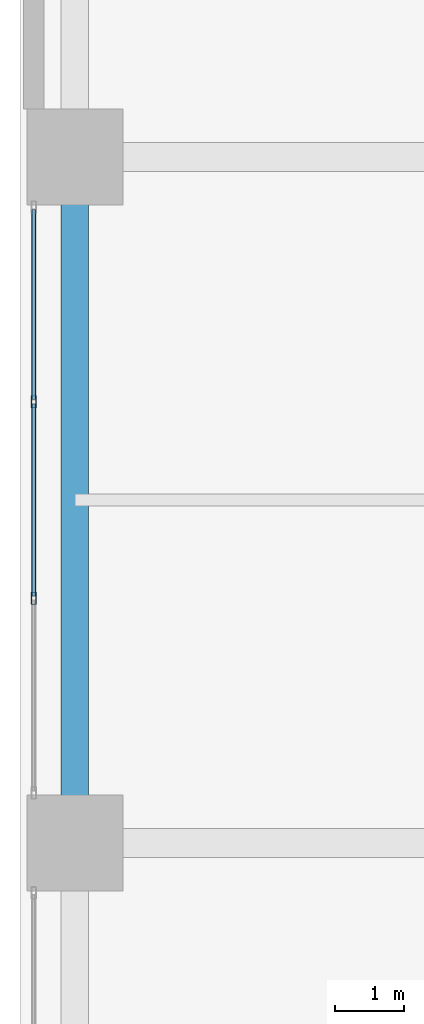
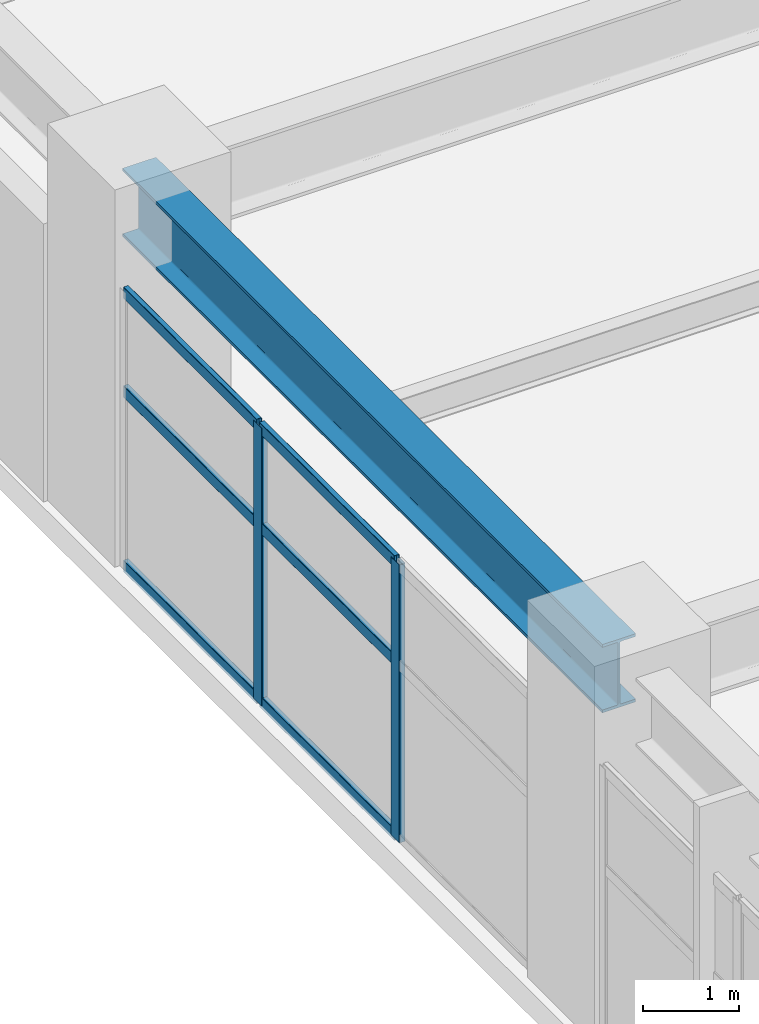
# One storey, part 9 of 28: 8 members, 1 beam, 1 element without a shape of its own.
"""IFC4 building model written with IfcOpenShell, lengths in metres."""

from ifc_helpers import new_model, si_unit, direction, frame, origin, origin_2d, place, context, subcontext, project, spatial, hollow_rectangle, i_section, extrude, material, layer, layer_set, material_profile, profile_set, type_object, element, aggregate, save


model = new_model("IFC4")

# Units and contexts
model_context = context("Model", 3, precision=1e-05, world=origin(), true_north=direction((0.0, 1.0)))
body_context = subcontext(model_context, "Body", "Model", "MODEL_VIEW")
ifc_project = project(units=[si_unit("LENGTHUNIT", "METRE"), si_unit("AREAUNIT", "SQUARE_METRE"), si_unit("VOLUMEUNIT", "CUBIC_METRE"), si_unit("PLANEANGLEUNIT", "RADIAN"), si_unit("MASSUNIT", "GRAM", prefix="KILO")], contexts=[model_context])

# Site, building, storey
site_placement = place(None, origin())
site = spatial("IfcSite", under=ifc_project, at=site_placement, CompositionType="ELEMENT")
building_placement = place(site_placement, origin())
building = spatial("IfcBuilding", under=site, at=building_placement, Name="Soratama Intermodal Tower", CompositionType="ELEMENT")
storey_placement = place(building_placement, frame((0.0, 0.0, 11.39990234375)))
storey = spatial("IfcBuildingStorey", under=building, at=storey_placement, Name="L02", CompositionType="ELEMENT", Elevation=11.39990234375)

# Beam
ifc_material_1 = material(Name="Structural steel ASTM A992 Grade 50", Category="steel")
ifc_material_profile_1 = material_profile(ifc_material_1, i_section(OverallWidth=0.403076171875, OverallDepth=0.867919921875, WebThickness=0.02099609375, FlangeThickness=0.03564453125, FilletRadius=0.01806640625, at=origin_2d()), Name="W33X241")
ifc_profile_set_1 = profile_set([ifc_material_profile_1], Name="Structural steel ASTM A992 Grade 50")
beam_type = type_object("IfcBeamType", Name="BM-POD-EXT-W33", PredefinedType="BEAM", material=ifc_profile_set_1)
beam_placement = place(storey_placement, frame((0.800048828125, 25.0, 4.046142578125), z_axis=(0.0, 1.0, 0.0), x_axis=(-1.0, 0.0, 0.0)))
element("IfcBeam", 1, at=beam_placement, inside=storey, type_object=beam_type, Name="L02 Station Girder Y1-3", PredefinedType="BEAM", context=body_context, shape_type="SweptSolid", body=[
    extrude(i_section(OverallWidth=0.403076171875, OverallDepth=0.867919921875, WebThickness=0.02099609375, FlangeThickness=0.03564453125, FilletRadius=0.01806640625, at=origin_2d()), origin(), (0.0, 0.0, 1.0), 10.0),
])

# Curtain wall, members
ifc_material_2 = material(Name="Double-glazed aluminium curtain wall", Category="aluminium")
ifc_layer = layer(ifc_material_2, 0.159912109375)
ifc_layer_set = layer_set([ifc_layer], Name="Double-glazed aluminium curtain wall")
curtain_wall_type = type_object("IfcCurtainWallType", Name="CW-SYS-1", PredefinedType="NOTDEFINED", material=ifc_layer_set)
curtain_wall_placement = place(storey_placement, origin())
curtain_wall = element("IfcCurtainWall", 2, at=curtain_wall_placement, inside=storey, type_object=curtain_wall_type, Name="L02 Station Curtain Wall W2", PredefinedType="NOTDEFINED")
ifc_material_3 = material(Name="Anodised aluminium AA 6063-T6", Category="aluminium")
ifc_material_profile_2 = material_profile(ifc_material_3, hollow_rectangle(XDim=0.074951171875, YDim=0.179931640625, WallThickness=0.006103515625, InnerFilletRadius=0.006103515625, OuterFilletRadius=0.011962890625, at=origin_2d()), Name="CWM180X75X6")
ifc_profile_set_2 = profile_set([ifc_material_profile_2], Name="Anodised aluminium AA 6063-T6")
member_type_1 = type_object("IfcMemberType", Name="MT-CWM-1", PredefinedType="MULLION", material=ifc_profile_set_2)
member_1_placement = place(storey_placement, frame((0.199951171875, 28.566650390625, 0.0), z_axis=(0.0, 0.0, 1.0), x_axis=(-1.0, 0.0, 0.0)))
member_1 = element("IfcMember", 3, at=member_1_placement, type_object=member_type_1, Name="CW-1 mullion 2", PredefinedType="MULLION", context=body_context, shape_type="SweptSolid", body=[
    extrude(hollow_rectangle(XDim=0.074951171875, YDim=0.179931640625, WallThickness=0.006103515625, InnerFilletRadius=0.006103515625, OuterFilletRadius=0.011962890625, at=origin_2d()), origin(), (0.0, 0.0, 1.0), 3.5361328125),
])
member_2_placement = place(storey_placement, frame((0.199951171875, 31.433349609375, 0.0), z_axis=(0.0, 0.0, 1.0), x_axis=(-1.0, 0.0, 0.0)))
member_2 = element("IfcMember", 4, at=member_2_placement, type_object=member_type_1, Name="CW-1 mullion 3", PredefinedType="MULLION", context=body_context, shape_type="SweptSolid", body=[
    extrude(hollow_rectangle(XDim=0.074951171875, YDim=0.179931640625, WallThickness=0.006103515625, InnerFilletRadius=0.006103515625, OuterFilletRadius=0.011962890625, at=origin_2d()), origin(), (0.0, 0.0, 1.0), 3.5361328125),
])
ifc_material_4 = material(Name="Anodised aluminium AA 6063-T6", Category="aluminium")
ifc_material_profile_3 = material_profile(ifc_material_4, hollow_rectangle(XDim=0.06494140625, YDim=0.14990234375, WallThickness=0.0048828125, InnerFilletRadius=0.0048828125, OuterFilletRadius=0.010009765625, at=origin_2d()), Name="CWT150X65X5")
ifc_profile_set_3 = profile_set([ifc_material_profile_3], Name="Anodised aluminium AA 6063-T6")
member_type_2 = type_object("IfcMemberType", Name="TT-CWT-1", PredefinedType="USERDEFINED", material=ifc_profile_set_3)
member_3_placement = place(storey_placement, frame((0.199951171875, 28.5966796875, 0.030029296875), z_axis=(0.0, 1.0, 0.0), x_axis=(-1.0, 0.0, 0.0)))
member_3 = element("IfcMember", 5, at=member_3_placement, type_object=member_type_2, Name="CW-1 transom 2.1", ObjectType="TRANSOM", PredefinedType="USERDEFINED", context=body_context, shape_type="SweptSolid", body=[
    extrude(hollow_rectangle(XDim=0.06494140625, YDim=0.14990234375, WallThickness=0.0048828125, InnerFilletRadius=0.0048828125, OuterFilletRadius=0.010009765625, at=origin_2d()), origin(), (0.0, 0.0, 1.0), 2.806640625),
])
member_4_placement = place(storey_placement, frame((0.199951171875, 28.5966796875, 2.25), z_axis=(0.0, 1.0, 0.0), x_axis=(-1.0, 0.0, 0.0)))
member_4 = element("IfcMember", 6, at=member_4_placement, type_object=member_type_2, Name="CW-1 transom 2.2", ObjectType="TRANSOM", PredefinedType="USERDEFINED", context=body_context, shape_type="SweptSolid", body=[
    extrude(hollow_rectangle(XDim=0.06494140625, YDim=0.14990234375, WallThickness=0.0048828125, InnerFilletRadius=0.0048828125, OuterFilletRadius=0.010009765625, at=origin_2d()), origin(), (0.0, 0.0, 1.0), 2.806640625),
])
member_5_placement = place(storey_placement, frame((0.199951171875, 28.5966796875, 3.506103515625), z_axis=(0.0, 1.0, 0.0), x_axis=(-1.0, 0.0, 0.0)))
member_5 = element("IfcMember", 7, at=member_5_placement, type_object=member_type_2, Name="CW-1 transom 2.3", ObjectType="TRANSOM", PredefinedType="USERDEFINED", context=body_context, shape_type="SweptSolid", body=[
    extrude(hollow_rectangle(XDim=0.06494140625, YDim=0.14990234375, WallThickness=0.0048828125, InnerFilletRadius=0.0048828125, OuterFilletRadius=0.010009765625, at=origin_2d()), origin(), (0.0, 0.0, 1.0), 2.806640625),
])
member_6_placement = place(storey_placement, frame((0.199951171875, 31.46337890625, 0.030029296875), z_axis=(0.0, 1.0, 0.0), x_axis=(-1.0, 0.0, 0.0)))
member_6 = element("IfcMember", 8, at=member_6_placement, type_object=member_type_2, Name="CW-1 transom 3.1", ObjectType="TRANSOM", PredefinedType="USERDEFINED", context=body_context, shape_type="SweptSolid", body=[
    extrude(hollow_rectangle(XDim=0.06494140625, YDim=0.14990234375, WallThickness=0.0048828125, InnerFilletRadius=0.0048828125, OuterFilletRadius=0.010009765625, at=origin_2d()), origin(), (0.0, 0.0, 1.0), 2.776611328125),
])
member_7_placement = place(storey_placement, frame((0.199951171875, 31.46337890625, 2.25), z_axis=(0.0, 1.0, 0.0), x_axis=(-1.0, 0.0, 0.0)))
member_7 = element("IfcMember", 9, at=member_7_placement, type_object=member_type_2, Name="CW-1 transom 3.2", ObjectType="TRANSOM", PredefinedType="USERDEFINED", context=body_context, shape_type="SweptSolid", body=[
    extrude(hollow_rectangle(XDim=0.06494140625, YDim=0.14990234375, WallThickness=0.0048828125, InnerFilletRadius=0.0048828125, OuterFilletRadius=0.010009765625, at=origin_2d()), origin(), (0.0, 0.0, 1.0), 2.776611328125),
])
member_8_placement = place(storey_placement, frame((0.199951171875, 31.46337890625, 3.506103515625), z_axis=(0.0, 1.0, 0.0), x_axis=(-1.0, 0.0, 0.0)))
member_8 = element("IfcMember", 10, at=member_8_placement, type_object=member_type_2, Name="CW-1 transom 3.3", ObjectType="TRANSOM", PredefinedType="USERDEFINED", context=body_context, shape_type="SweptSolid", body=[
    extrude(hollow_rectangle(XDim=0.06494140625, YDim=0.14990234375, WallThickness=0.0048828125, InnerFilletRadius=0.0048828125, OuterFilletRadius=0.010009765625, at=origin_2d()), origin(), (0.0, 0.0, 1.0), 2.776611328125),
])
aggregate(curtain_wall, [member_1, member_2, member_3, member_4, member_5, member_6, member_7, member_8])

save(model, "model.ifc")
